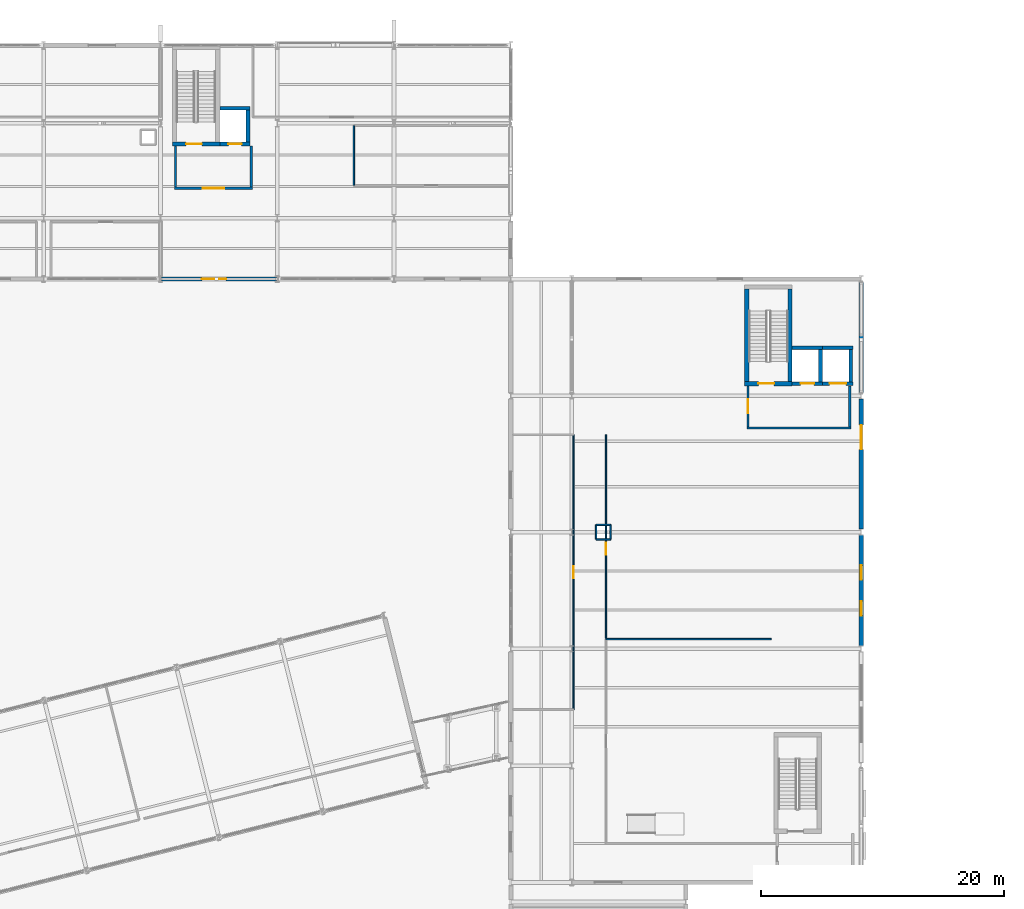
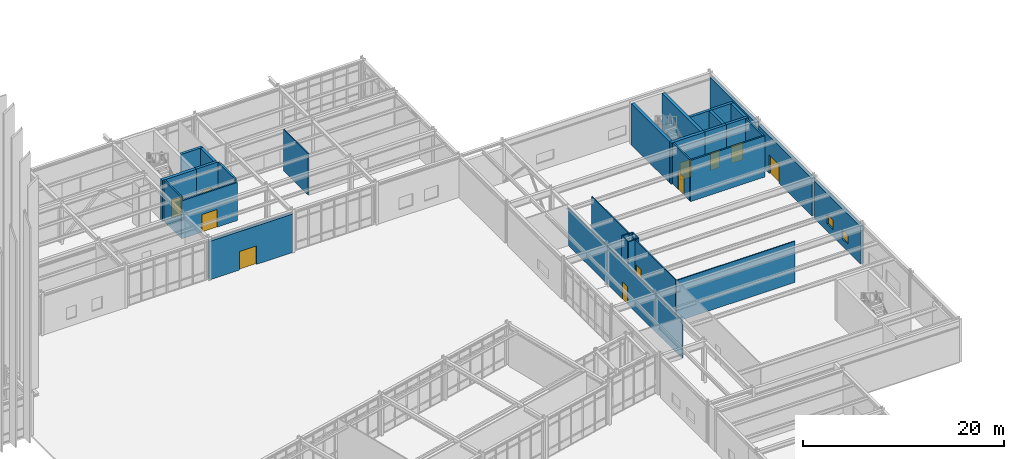
# One storey, part 93 of 109: 31 walls, 11 doors, 2 windows, 13 openings.
"""IFC4 building model written with IfcOpenShell, lengths in metres."""

from ifc_helpers import new_model, si_unit, direction, frame, frame_2d, origin, place, context, subcontext, project, spatial, rectangle, extrude, material, layer, layer_set, type_object, element, fill, save


model = new_model("IFC4")

# Units and contexts
model_context = context("Model", 3, precision=1e-05, world=origin(), true_north=direction((0.0, 1.0)))
body_context = subcontext(model_context, "Body", "Model", "MODEL_VIEW")
ifc_project = project(units=[si_unit("LENGTHUNIT", "METRE"), si_unit("AREAUNIT", "SQUARE_METRE"), si_unit("VOLUMEUNIT", "CUBIC_METRE"), si_unit("PLANEANGLEUNIT", "RADIAN"), si_unit("MASSUNIT", "GRAM", prefix="KILO")], contexts=[model_context])

# Site, building, storey
site_placement = place(None, origin())
site = spatial("IfcSite", under=ifc_project, at=site_placement, CompositionType="ELEMENT")
building_placement = place(site_placement, origin())
building = spatial("IfcBuilding", under=site, at=building_placement, Name="Nordkorset Police Headquarters", CompositionType="ELEMENT")
storey_placement = place(building_placement, origin())
storey = spatial("IfcBuildingStorey", under=building, at=storey_placement, Name="L00", CompositionType="ELEMENT", Elevation=0.0)

# Wall, opening, door
ifc_material_1 = material(Name="Gypsum board", Category="gypsum")
ifc_layer_1 = layer(ifc_material_1, 0.179931640625, Name="Gypsum board")
ifc_layer_set_1 = layer_set([ifc_layer_1], Name="Gypsum board")
wall_type_1 = type_object("IfcWallType", Name="Wall_Comp_180", PredefinedType="PARTITIONING", material=ifc_layer_set_1)
wall_1_placement = place(storey_placement, frame((58.75, 105.06005859375, 0.0), z_axis=(0.0, 0.0, 1.0), x_axis=(1.0, 0.0, 0.0)))
wall_1 = element("IfcWall", 1, at=wall_1_placement, inside=storey, type_object=wall_type_1, Name="Firefighting Lobby EI 60 Wall K2 L00 S", PredefinedType="PARTITIONING", context=body_context, shape_type="SweptSolid", body=[
    extrude(rectangle(XDim=6.39990234375, YDim=0.179931640625, at=frame_2d((3.199951171875, 0.0))), origin(), (0.0, 0.0, 1.0), 4.6201171875),
])
opening_1_placement = place(wall_1_placement, frame((2.324951171875, 0.0, 0.0)))
opening_1 = element("IfcOpeningElement", 2, at=opening_1_placement, cuts=wall_1, Name="Opening DR-17", PredefinedType="OPENING", context=body_context, shape_type="SweptSolid", body=[
    extrude(rectangle(XDim=1.75, YDim=2.14990234375, at=frame_2d((0.875, 1.074951171875))), frame((0.0, 0.10009765625, 0.0), z_axis=(0.0, -1.0, 0.0), x_axis=(1.0, 0.0, 0.0)), (0.0, 0.0, 1.0), 0.199951171875),
])
ifc_material_2 = material(Name="Steel S355J2", Category="steel")
door_type_1 = type_object("IfcDoorType", Name="Door_LobbyDouble_1750x2150", OperationType="DOUBLE_DOOR_SINGLE_SWING", PredefinedType="DOOR", material=ifc_material_2)
door_1_placement = place(opening_1_placement, frame((1.75, 0.0, 0.0), z_axis=(0.0, 0.0, 1.0), x_axis=(-1.0, 0.0, 0.0)))
door_1 = element("IfcDoor", 3, at=door_1_placement, inside=storey, type_object=door_type_1, Name="Firefighting Lobby Smoke Door K2 L00 S", OperationType="DOUBLE_DOOR_SINGLE_SWING", OverallHeight=2.14990234375, OverallWidth=1.75, PredefinedType="DOOR", context=body_context, shape_type="SweptSolid", body=[
    extrude(rectangle(XDim=1.75, YDim=2.14990234375, at=frame_2d((0.875, 1.074951171875))), frame((0.0, 0.02490234375, 0.0), z_axis=(0.0, -1.0, 0.0), x_axis=(1.0, 0.0, 0.0)), (0.0, 0.0, 1.0), 0.050048828125),
])
fill(opening_1, door_1)

# Walls
for number, where, z_axis, x_axis, name in (
    (4, (58.840087890625, 105.14990234375, 0.0), (0.0, 0.0, 1.0), (0.0, 1.0, 0.0), "Firefighting Lobby EI 60 Wall K2 L00 W"),
    (5, (65.06005859375, 105.14990234375, 0.0), (0.0, 0.0, 1.0), (0.0, 1.0, 0.0), "Firefighting Lobby EI 60 Wall K2 L00 E"),
):
    element("IfcWall", number, at=place(storey_placement, frame(where, z_axis=z_axis, x_axis=x_axis)), inside=storey, type_object=wall_type_1, Name=name, PredefinedType="PARTITIONING", context=body_context, shape_type="SweptSolid", body=[
        extrude(rectangle(XDim=3.375, YDim=0.179931640625, at=frame_2d((1.6875, 0.0))), origin(), (0.0, 0.0, 1.0), 5.0),
    ])
wall_2_placement = place(storey_placement, frame((105.800048828125, 85.360107421875, 0.0), z_axis=(0.0, 0.0, 1.0), x_axis=(1.0, 0.0, 0.0)))
element("IfcWall", 6, at=wall_2_placement, inside=storey, type_object=wall_type_1, Name="Firefighting Lobby EI 60 Wall K5 L00 S", PredefinedType="PARTITIONING", context=body_context, shape_type="SweptSolid", body=[
    extrude(rectangle(XDim=8.550048828125, YDim=0.179931640625, at=frame_2d((4.27490234375, 0.0))), origin(), (0.0, 0.0, 1.0), 5.0),
])

# Wall, opening, door
wall_3_placement = place(storey_placement, frame((105.889892578125, 85.449951171875, 0.0), z_axis=(0.0, 0.0, 1.0), x_axis=(0.0, 1.0, 0.0)))
wall_3 = element("IfcWall", 7, at=wall_3_placement, inside=storey, type_object=wall_type_1, Name="Firefighting Lobby EI 60 Wall K5 L00 W", PredefinedType="PARTITIONING", context=body_context, shape_type="SweptSolid", body=[
    extrude(rectangle(XDim=3.375, YDim=0.179931640625, at=frame_2d((1.6875, 0.0))), origin(), (0.0, 0.0, 1.0), 5.0),
])
opening_2_placement = place(wall_3_placement, frame((1.112548828125, 0.0, 0.0)))
opening_2 = element("IfcOpeningElement", 8, at=opening_2_placement, cuts=wall_3, Name="Opening DR-01", PredefinedType="OPENING", context=body_context, shape_type="SweptSolid", body=[
    extrude(rectangle(XDim=1.14990234375, YDim=2.14990234375, at=frame_2d((0.574951171875, 1.074951171875))), frame((0.0, 0.10009765625, 0.0), z_axis=(0.0, -1.0, 0.0), x_axis=(1.0, 0.0, 0.0)), (0.0, 0.0, 1.0), 0.199951171875),
])
ifc_material_3 = material(Name="Steel S355J2", Category="steel")
door_type_2 = type_object("IfcDoorType", Name="Door_LobbySingle_1150x2150", OperationType="NOTDEFINED", PredefinedType="DOOR", material=ifc_material_3)
door_2_placement = place(opening_2_placement, origin())
door_2 = element("IfcDoor", 9, at=door_2_placement, inside=storey, type_object=door_type_2, Name="Firefighting Lobby Smoke Door K5 L00 W", OperationType="SINGLE_SWING_LEFT", OverallHeight=2.14990234375, OverallWidth=1.14990234375, PredefinedType="DOOR", context=body_context, shape_type="SweptSolid", body=[
    extrude(rectangle(XDim=1.14990234375, YDim=2.14990234375, at=frame_2d((0.574951171875, 1.074951171875))), frame((0.0, 0.02490234375, 0.0), z_axis=(0.0, -1.0, 0.0), x_axis=(1.0, 0.0, 0.0)), (0.0, 0.0, 1.0), 0.050048828125),
])
fill(opening_2, door_2)

# Wall
wall_4_placement = place(storey_placement, frame((114.260009765625, 85.449951171875, 0.0), z_axis=(0.0, 0.0, 1.0), x_axis=(0.0, 1.0, 0.0)))
element("IfcWall", 10, at=wall_4_placement, inside=storey, type_object=wall_type_1, Name="Firefighting Lobby EI 60 Wall K5 L00 E", PredefinedType="PARTITIONING", context=body_context, shape_type="SweptSolid", body=[
    extrude(rectangle(XDim=3.375, YDim=0.179931640625, at=frame_2d((1.6875, 0.0))), origin(), (0.0, 0.0, 1.0), 5.0),
])

# Wall, opening, door
ifc_material_4 = material(Name="Concrete C35/45", Category="concrete")
ifc_layer_2 = layer(ifc_material_4, 0.35009765625, Name="Concrete C35/45")
ifc_layer_set_2 = layer_set([ifc_layer_2], Name="Concrete C35/45")
wall_type_2 = type_object("IfcWallType", Name="Wall_CoreShear_350", PredefinedType="SHEAR", material=ifc_layer_set_2)
wall_5_placement = place(storey_placement, frame((58.574951171875, 108.699951171875, 0.0), z_axis=(0.0, 0.0, 1.0), x_axis=(1.0, 0.0, 0.0)))
wall_5 = element("IfcWall", 11, at=wall_5_placement, inside=storey, type_object=wall_type_2, Name="Core K2 Stair Shaft South Shear Wall L00", PredefinedType="SHEAR", context=body_context, shape_type="SweptSolid", body=[
    extrude(rectangle(XDim=3.900146484375, YDim=0.35009765625, at=frame_2d((1.9501953125, 0.0))), origin(), (0.0, 0.0, 1.0), 5.0),
])
opening_3_placement = place(wall_5_placement, frame((1.125, 0.0, 0.0)))
opening_3 = element("IfcOpeningElement", 12, at=opening_3_placement, cuts=wall_5, Name="Opening DR-20", PredefinedType="OPENING", context=body_context, shape_type="SweptSolid", body=[
    extrude(rectangle(XDim=1.300048828125, YDim=2.14990234375, at=frame_2d((0.64990234375, 1.074951171875))), frame((0.0, 0.18505859375, 0.0), z_axis=(0.0, -1.0, 0.0), x_axis=(1.0, 0.0, 0.0)), (0.0, 0.0, 1.0), 0.3701171875),
])
ifc_material_5 = material(Name="Steel S355J2", Category="steel")
door_type_3 = type_object("IfcDoorType", Name="Door_Stair_1300x2150", OperationType="NOTDEFINED", PredefinedType="DOOR", material=ifc_material_5)
door_3_placement = place(opening_3_placement, origin())
door_3 = element("IfcDoor", 13, at=door_3_placement, inside=storey, type_object=door_type_3, Name="Protected Stair Fire Door ST-02 L00", OperationType="SINGLE_SWING_LEFT", OverallHeight=2.14990234375, OverallWidth=1.300048828125, PredefinedType="DOOR", context=body_context, shape_type="SweptSolid", body=[
    extrude(rectangle(XDim=1.300048828125, YDim=2.14990234375, at=frame_2d((0.64990234375, 1.074951171875))), frame((0.0, 0.02490234375, 0.0), z_axis=(0.0, -1.0, 0.0), x_axis=(1.0, 0.0, 0.0)), (0.0, 0.0, 1.0), 0.050048828125),
])
fill(opening_3, door_3)

wall_6_placement = place(storey_placement, frame((105.625, 89.0, 0.0), z_axis=(0.0, 0.0, 1.0), x_axis=(1.0, 0.0, 0.0)))
wall_6 = element("IfcWall", 14, at=wall_6_placement, inside=storey, type_object=wall_type_2, Name="Core K5 Stair Shaft South Shear Wall L00", PredefinedType="SHEAR", context=body_context, shape_type="SweptSolid", body=[
    extrude(rectangle(XDim=3.89990234375, YDim=0.35009765625, at=frame_2d((1.949951171875, 0.0))), origin(), (0.0, 0.0, 1.0), 5.0),
])
opening_4_placement = place(wall_6_placement, frame((1.125, 0.0, 0.0)))
opening_4 = element("IfcOpeningElement", 15, at=opening_4_placement, cuts=wall_6, Name="Opening DR-20", PredefinedType="OPENING", context=body_context, shape_type="SweptSolid", body=[
    extrude(rectangle(XDim=1.300048828125, YDim=2.14990234375, at=frame_2d((0.64990234375, 1.074951171875))), frame((0.0, 0.18505859375, 0.0), z_axis=(0.0, -1.0, 0.0), x_axis=(1.0, 0.0, 0.0)), (0.0, 0.0, 1.0), 0.3701171875),
])
door_4_placement = place(opening_4_placement, origin())
door_4 = element("IfcDoor", 16, at=door_4_placement, inside=storey, type_object=door_type_3, Name="Protected Stair Fire Door ST-05 L00", OperationType="SINGLE_SWING_RIGHT", OverallHeight=2.14990234375, OverallWidth=1.300048828125, PredefinedType="DOOR", context=body_context, shape_type="SweptSolid", body=[
    extrude(rectangle(XDim=1.300048828125, YDim=2.14990234375, at=frame_2d((0.64990234375, 1.074951171875))), frame((0.0, 0.02490234375, 0.0), z_axis=(0.0, -1.0, 0.0), x_axis=(1.0, 0.0, 0.0)), (0.0, 0.0, 1.0), 0.050048828125),
])
fill(opening_4, door_4)

# Walls
for number, where, z_axis, x_axis, name in (
    (17, (105.800048828125, 89.175048828125, 0.0), (0.0, 0.0, 1.0), (0.0, 1.0, 0.0), "Core K5 Stair Shaft West Shear Wall L00"),
    (18, (109.35009765625, 89.175048828125, 0.0), (0.0, 0.0, 1.0), (0.0, 1.0, 0.0), "Core K5 Stair Shaft East Shear Wall L00"),
):
    element("IfcWall", number, at=place(storey_placement, frame(where, z_axis=z_axis, x_axis=x_axis)), inside=storey, type_object=wall_type_2, Name=name, PredefinedType="SHEAR", context=body_context, shape_type="SweptSolid", body=[
        extrude(rectangle(XDim=7.599853515625, YDim=0.35009765625, at=frame_2d((3.7998046875, 0.0))), origin(), (0.0, 0.0, 1.0), 5.0),
    ])

# Wall, opening, door
ifc_material_6 = material(Name="Precast concrete C40/50", Category="concrete")
ifc_layer_3 = layer(ifc_material_6, 0.360107421875, Name="Precast concrete C40/50")
ifc_layer_set_3 = layer_set([ifc_layer_3], Name="Precast concrete C40/50")
wall_type_3 = type_object("IfcWallType", Name="Wall_ExtPrecast_360", PredefinedType="SOLIDWALL", material=ifc_layer_set_3)
wall_7_placement = place(storey_placement, frame((57.609130859375, 97.60009765625, 0.0), z_axis=(0.0, 0.0, 1.0), x_axis=(1.0, 0.0, 0.0)))
wall_7 = element("IfcWall", 19, at=wall_7_placement, inside=storey, type_object=wall_type_3, Name="Exterior Insulated Precast Wall L00 V2S-3", PredefinedType="SOLIDWALL", context=body_context, shape_type="SweptSolid", body=[
    extrude(rectangle(XDim=9.58154296875, YDim=0.360107421875, at=frame_2d((4.790771484375, 0.0))), origin(), (0.0, 0.0, 1.0), 4.669921875),
])
opening_5_placement = place(wall_7_placement, frame((3.390869140625, 0.0, 0.0)))
opening_5 = element("IfcOpeningElement", 20, at=opening_5_placement, cuts=wall_7, Name="Opening ED-13", PredefinedType="OPENING", context=body_context, shape_type="SweptSolid", body=[
    extrude(rectangle(XDim=2.0, YDim=2.25, at=frame_2d((1.0, 1.125))), frame((0.0, 0.18994140625, 0.0), z_axis=(0.0, -1.0, 0.0), x_axis=(1.0, 0.0, 0.0)), (0.0, 0.0, 1.0), 0.380126953125),
])
ifc_material_7 = material(Name="Steel S355J2", Category="steel")
door_type_4 = type_object("IfcDoorType", Name="ExtDoor_CoreExit_2000x2250", OperationType="DOUBLE_DOOR_SINGLE_SWING", PredefinedType="DOOR", material=ifc_material_7)
door_5_placement = place(opening_5_placement, frame((2.0, 0.0, 0.0), z_axis=(0.0, 0.0, 1.0), x_axis=(-1.0, 0.0, 0.0)))
door_5 = element("IfcDoor", 21, at=door_5_placement, inside=storey, type_object=door_type_4, Name="Core K2 Courtyard Final Exit Door ED-13", OperationType="SINGLE_SWING_LEFT", OverallHeight=2.25, OverallWidth=2.0, PredefinedType="DOOR", context=body_context, shape_type="SweptSolid", body=[
    extrude(rectangle(XDim=2.0, YDim=2.25, at=frame_2d((1.0, 1.125))), frame((0.0, 0.02490234375, 0.0), z_axis=(0.0, -1.0, 0.0), x_axis=(1.0, 0.0, 0.0)), (0.0, 0.0, 1.0), 0.050048828125),
])
fill(opening_5, door_5)

# Wall, openings, windows
wall_8_placement = place(storey_placement, frame((115.199951171875, 67.451904296875, 0.0), z_axis=(0.0, 0.0, 1.0), x_axis=(0.0, 1.0, 0.0)))
wall_8 = element("IfcWall", 22, at=wall_8_placement, inside=storey, type_object=wall_type_3, Name="Exterior Insulated Precast Wall L00 V5E-2", PredefinedType="SOLIDWALL", context=body_context, shape_type="SweptSolid", body=[
    extrude(rectangle(XDim=9.09619140625, YDim=0.360107421875, at=frame_2d((4.548095703125, 0.0))), origin(), (0.0, 0.0, 1.0), 4.5400390625),
])
opening_6_placement = place(wall_8_placement, frame((2.481201171875, 0.0, 0.89990234375)))
opening_6 = element("IfcOpeningElement", 23, at=opening_6_placement, cuts=wall_8, Name="Opening WN-19", PredefinedType="OPENING", context=body_context, shape_type="SweptSolid", body=[
    extrude(rectangle(XDim=1.199951171875, YDim=1.14990234375, at=frame_2d((0.60009765625, 0.574951171875))), frame((0.0, 0.18994140625, 0.0), z_axis=(0.0, -1.0, 0.0), x_axis=(1.0, 0.0, 0.0)), (0.0, 0.0, 1.0), 0.380126953125),
])
opening_7_placement = place(wall_8_placement, frame((5.414794921875, 0.0, 0.89990234375)))
opening_7 = element("IfcOpeningElement", 24, at=opening_7_placement, cuts=wall_8, Name="Opening WN-19", PredefinedType="OPENING", context=body_context, shape_type="SweptSolid", body=[
    extrude(rectangle(XDim=1.199951171875, YDim=1.14990234375, at=frame_2d((0.60009765625, 0.574951171875))), frame((0.0, 0.18994140625, 0.0), z_axis=(0.0, -1.0, 0.0), x_axis=(1.0, 0.0, 0.0)), (0.0, 0.0, 1.0), 0.380126953125),
])
ifc_material_8 = material(Name="Low-iron triple glazing", Category="glass")
window_type = type_object("IfcWindowType", Name="Win_1200x1150", PartitioningType="SINGLE_PANEL", PredefinedType="WINDOW", material=ifc_material_8)
window_1_placement = place(opening_6_placement, origin())
window_1 = element("IfcWindow", 25, at=window_1_placement, inside=storey, type_object=window_type, Name="Triple-Glazed Exterior Window L00 V5E-2-1", OverallHeight=1.14990234375, OverallWidth=1.199951171875, PartitioningType="SINGLE_PANEL", PredefinedType="WINDOW", context=body_context, shape_type="SweptSolid", body=[
    extrude(rectangle(XDim=1.199951171875, YDim=1.14990234375, at=frame_2d((0.60009765625, 0.574951171875))), frame((0.0, 0.030029296875, 0.0), z_axis=(0.0, -1.0, 0.0), x_axis=(1.0, 0.0, 0.0)), (0.0, 0.0, 1.0), 0.06005859375),
])
fill(opening_6, window_1)
window_2_placement = place(opening_7_placement, origin())
window_2 = element("IfcWindow", 26, at=window_2_placement, inside=storey, type_object=window_type, Name="Triple-Glazed Exterior Window L00 V5E-2-2", OverallHeight=1.14990234375, OverallWidth=1.199951171875, PartitioningType="SINGLE_PANEL", PredefinedType="WINDOW", context=body_context, shape_type="SweptSolid", body=[
    extrude(rectangle(XDim=1.199951171875, YDim=1.14990234375, at=frame_2d((0.60009765625, 0.574951171875))), frame((0.0, 0.030029296875, 0.0), z_axis=(0.0, -1.0, 0.0), x_axis=(1.0, 0.0, 0.0)), (0.0, 0.0, 1.0), 0.06005859375),
])
fill(opening_7, window_2)

# Wall, opening, door
wall_9_placement = place(storey_placement, frame((115.199951171875, 77.052001953125, 0.0), z_axis=(0.0, 0.0, 1.0), x_axis=(0.0, 1.0, 0.0)))
wall_9 = element("IfcWall", 27, at=wall_9_placement, inside=storey, type_object=wall_type_3, Name="Exterior Insulated Precast Wall L00 V5E-3", PredefinedType="SOLIDWALL", context=body_context, shape_type="SweptSolid", body=[
    extrude(rectangle(XDim=10.696044921875, YDim=0.360107421875, at=frame_2d((5.34814453125, 0.0))), origin(), (0.0, 0.0, 1.0), 4.5400390625),
])
opening_8_placement = place(wall_9_placement, frame((6.548095703125, 0.0, 0.0)))
opening_8 = element("IfcOpeningElement", 28, at=opening_8_placement, cuts=wall_9, Name="Opening ED-08", PredefinedType="OPENING", context=body_context, shape_type="SweptSolid", body=[
    extrude(rectangle(XDim=2.0, YDim=2.25, at=frame_2d((1.0, 1.125))), frame((0.0, 0.18994140625, 0.0), z_axis=(0.0, -1.0, 0.0), x_axis=(1.0, 0.0, 0.0)), (0.0, 0.0, 1.0), 0.380126953125),
])
door_6_placement = place(opening_8_placement, frame((2.0, 0.0, 0.0), z_axis=(0.0, 0.0, 1.0), x_axis=(-1.0, 0.0, 0.0)))
door_6 = element("IfcDoor", 29, at=door_6_placement, inside=storey, type_object=door_type_4, Name="Training Pavilion East Final Exit Door ED-08", OperationType="SINGLE_SWING_LEFT", OverallHeight=2.25, OverallWidth=2.0, PredefinedType="DOOR", context=body_context, shape_type="SweptSolid", body=[
    extrude(rectangle(XDim=2.0, YDim=2.25, at=frame_2d((1.0, 1.125))), frame((0.0, 0.02490234375, 0.0), z_axis=(0.0, -1.0, 0.0), x_axis=(1.0, 0.0, 0.0)), (0.0, 0.0, 1.0), 0.050048828125),
])
fill(opening_8, door_6)

# Walls
wall_10_placement = place(storey_placement, frame((115.199951171875, 88.251953125, 0.0), z_axis=(0.0, 0.0, 1.0), x_axis=(0.0, 1.0, 0.0)))
element("IfcWall", 30, at=wall_10_placement, inside=storey, type_object=wall_type_3, Name="Exterior Insulated Precast Wall L00 V5E-4", PredefinedType="SOLIDWALL", context=body_context, shape_type="SweptSolid", body=[
    extrude(rectangle(XDim=9.095947265625, YDim=0.360107421875, at=frame_2d((4.5478515625, 0.0))), origin(), (0.0, 0.0, 1.0), 4.5400390625),
])
ifc_material_9 = material(Name="Gypsum board", Category="gypsum")
ifc_layer_4 = layer(ifc_material_9, 0.1201171875, Name="Gypsum board")
ifc_layer_set_4 = layer_set([ifc_layer_4], Name="Gypsum board")
wall_type_4 = type_object("IfcWallType", Name="Wall_Part_120", PredefinedType="PARTITIONING", material=ifc_layer_set_4)
wall_11_placement = place(storey_placement, frame((73.5, 110.199951171875, 0.0), z_axis=(0.0, 0.0, 1.0), x_axis=(0.0, -1.0, 0.0)))
element("IfcWall", 31, at=wall_11_placement, inside=storey, type_object=wall_type_4, Name="Interior Partition Wall Visitor Cycle Store and Locker Room", PredefinedType="PARTITIONING", context=body_context, shape_type="SweptSolid", body=[
    extrude(rectangle(XDim=4.89990234375, YDim=0.1201171875, at=frame_2d((2.449951171875, 0.0))), origin(), (0.0, 0.0, 1.0), 5.0),
])

# Wall, opening, door
wall_12_placement = place(storey_placement, frame((91.550048828125, 62.199951171875, 0.0), z_axis=(0.0, 0.0, 1.0), x_axis=(0.0, 1.0, 0.0)))
wall_12 = element("IfcWall", 32, at=wall_12_placement, inside=storey, type_object=wall_type_4, Name="Interior Partition Wall Patrol Kit Issue Office", PredefinedType="PARTITIONING", context=body_context, shape_type="SweptSolid", body=[
    extrude(rectangle(XDim=22.60009765625, YDim=0.1201171875, at=frame_2d((11.300048828125, 0.0))), origin(), (0.0, 0.0, 1.0), 4.5400390625),
])
opening_9_placement = place(wall_12_placement, frame((10.7900390625, 0.0, 0.0)))
opening_9 = element("IfcOpeningElement", 33, at=opening_9_placement, cuts=wall_12, Name="Opening DR-19", PredefinedType="OPENING", context=body_context, shape_type="SweptSolid", body=[
    extrude(rectangle(XDim=1.02001953125, YDim=2.10009765625, at=frame_2d((0.510009765625, 1.050048828125))), frame((0.0, 0.070068359375, 0.0), z_axis=(0.0, -1.0, 0.0), x_axis=(1.0, 0.0, 0.0)), (0.0, 0.0, 1.0), 0.14013671875),
])
ifc_material_10 = material(Name="Glulam GL30c", Category="wood")
door_type_5 = type_object("IfcDoorType", Name="Door_Office_1020x2100", OperationType="NOTDEFINED", PredefinedType="DOOR", material=ifc_material_10)
door_7_placement = place(opening_9_placement, origin())
door_7 = element("IfcDoor", 34, at=door_7_placement, inside=storey, type_object=door_type_5, Name="Interior Door Patrol Kit Issue Office", OperationType="SINGLE_SWING_LEFT", OverallHeight=2.10009765625, OverallWidth=1.02001953125, PredefinedType="DOOR", context=body_context, shape_type="SweptSolid", body=[
    extrude(rectangle(XDim=1.02001953125, YDim=2.10009765625, at=frame_2d((0.510009765625, 1.050048828125))), frame((0.0, 0.02490234375, 0.0), z_axis=(0.0, -1.0, 0.0), x_axis=(1.0, 0.0, 0.0)), (0.0, 0.0, 1.0), 0.050048828125),
])
fill(opening_9, door_7)

# Wall
wall_13_placement = place(storey_placement, frame((107.800048828125, 68.0, 0.0), z_axis=(0.0, 0.0, 1.0), x_axis=(-1.0, 0.0, 0.0)))
element("IfcWall", 35, at=wall_13_placement, inside=storey, type_object=wall_type_4, Name="Interior Partition Wall District Patrol Briefing Hall", PredefinedType="PARTITIONING", context=body_context, shape_type="SweptSolid", body=[
    extrude(rectangle(XDim=13.580078125, YDim=0.1201171875, at=frame_2d((6.7900390625, 0.0))), origin(), (0.0, 0.0, 1.0), 5.0),
])

# Wall, opening, door
wall_14_placement = place(storey_placement, frame((94.219970703125, 84.800048828125, 0.0), z_axis=(0.0, 0.0, 1.0), x_axis=(0.0, -1.0, 0.0)))
wall_14 = element("IfcWall", 36, at=wall_14_placement, inside=storey, type_object=wall_type_4, Name="Interior Partition Wall Response Team Equipment Hall", PredefinedType="PARTITIONING", context=body_context, shape_type="SweptSolid", body=[
    extrude(rectangle(XDim=16.7451171875, YDim=0.1201171875, at=frame_2d((8.37255859375, 0.0))), origin(), (0.0, 0.0, 1.0), 5.0),
])
opening_10_placement = place(wall_14_placement, frame((8.862548828125, 0.0, 0.0)))
opening_10 = element("IfcOpeningElement", 37, at=opening_10_placement, cuts=wall_14, Name="Opening DR-19", PredefinedType="OPENING", context=body_context, shape_type="SweptSolid", body=[
    extrude(rectangle(XDim=1.02001953125, YDim=2.10009765625, at=frame_2d((0.510009765625, 1.050048828125))), frame((0.0, 0.070068359375, 0.0), z_axis=(0.0, -1.0, 0.0), x_axis=(1.0, 0.0, 0.0)), (0.0, 0.0, 1.0), 0.14013671875),
])
door_8_placement = place(opening_10_placement, origin())
door_8 = element("IfcDoor", 38, at=door_8_placement, inside=storey, type_object=door_type_5, Name="Interior Door Response Team Equipment Hall", OperationType="SINGLE_SWING_LEFT", OverallHeight=2.10009765625, OverallWidth=1.02001953125, PredefinedType="DOOR", context=body_context, shape_type="SweptSolid", body=[
    extrude(rectangle(XDim=1.02001953125, YDim=2.10009765625, at=frame_2d((0.510009765625, 1.050048828125))), frame((0.0, 0.02490234375, 0.0), z_axis=(0.0, -1.0, 0.0), x_axis=(1.0, 0.0, 0.0)), (0.0, 0.0, 1.0), 0.050048828125),
])
fill(opening_10, door_8)

# Walls
ifc_material_11 = material(Name="Gypsum board", Category="gypsum")
ifc_layer_5 = layer(ifc_material_11, 0.125, Name="Gypsum board")
ifc_layer_set_5 = layer_set([ifc_layer_5], Name="Gypsum board")
wall_type_5 = type_object("IfcWallType", Name="Wall_Riser_125", PredefinedType="PARTITIONING", material=ifc_layer_set_5)
wall_15_placement = place(storey_placement, frame((93.39990234375, 76.199951171875, 0.0), z_axis=(0.0, 0.0, 1.0), x_axis=(1.0, 0.0, 0.0)))
element("IfcWall", 39, at=wall_15_placement, inside=storey, type_object=wall_type_5, Name="Service Riser Enclosure RSR-V5 L00", PredefinedType="PARTITIONING", context=body_context, shape_type="SweptSolid", body=[
    extrude(rectangle(XDim=1.2001953125, YDim=0.125, at=frame_2d((0.60009765625, 0.0))), origin(), (0.0, 0.0, 1.0), 5.0),
])
wall_16_placement = place(storey_placement, frame((94.60009765625, 76.199951171875, 0.0), z_axis=(0.0, 0.0, 1.0), x_axis=(0.0, 1.0, 0.0)))
element("IfcWall", 40, at=wall_16_placement, inside=storey, type_object=wall_type_5, Name="Service Riser Enclosure RSR-V5 L00", PredefinedType="PARTITIONING", context=body_context, shape_type="SweptSolid", body=[
    extrude(rectangle(XDim=1.199951171875, YDim=0.125, at=frame_2d((0.60009765625, 0.0))), origin(), (0.0, 0.0, 1.0), 5.0),
])
wall_17_placement = place(storey_placement, frame((94.60009765625, 77.39990234375, 0.0), z_axis=(0.0, 0.0, 1.0), x_axis=(-1.0, 0.0, 0.0)))
element("IfcWall", 41, at=wall_17_placement, inside=storey, type_object=wall_type_5, Name="Service Riser Enclosure RSR-V5 L00", PredefinedType="PARTITIONING", context=body_context, shape_type="SweptSolid", body=[
    extrude(rectangle(XDim=1.2001953125, YDim=0.125, at=frame_2d((0.60009765625, 0.0))), origin(), (0.0, 0.0, 1.0), 5.0),
])
wall_18_placement = place(storey_placement, frame((93.39990234375, 77.39990234375, 0.0), z_axis=(0.0, 0.0, 1.0), x_axis=(0.0, -1.0, 0.0)))
element("IfcWall", 42, at=wall_18_placement, inside=storey, type_object=wall_type_5, Name="Service Riser Enclosure RSR-V5 L00", PredefinedType="PARTITIONING", context=body_context, shape_type="SweptSolid", body=[
    extrude(rectangle(XDim=1.199951171875, YDim=0.125, at=frame_2d((0.60009765625, 0.0))), origin(), (0.0, 0.0, 1.0), 5.0),
])

# Wall, opening, door
ifc_material_12 = material(Name="Concrete C35/45", Category="concrete")
ifc_layer_6 = layer(ifc_material_12, 0.300048828125, Name="Concrete C35/45")
ifc_layer_set_6 = layer_set([ifc_layer_6], Name="Concrete C35/45")
wall_type_6 = type_object("IfcWallType", Name="Wall_ShaftShear_300", PredefinedType="SHEAR", material=ifc_layer_set_6)
wall_19_placement = place(storey_placement, frame((62.47509765625, 108.699951171875, 0.0), z_axis=(0.0, 0.0, 1.0), x_axis=(1.0, 0.0, 0.0)))
wall_19 = element("IfcWall", 43, at=wall_19_placement, inside=storey, type_object=wall_type_6, Name="Lift Shaft LF-04 Front Shear Wall L00", PredefinedType="SHEAR", context=body_context, shape_type="SweptSolid", body=[
    extrude(rectangle(XDim=2.5, YDim=0.300048828125, at=frame_2d((1.25, 0.0))), origin(), (0.0, 0.0, 1.0), 5.0),
])
opening_11_placement = place(wall_19_placement, frame((0.699951171875, 0.0, 0.0)))
opening_11 = element("IfcOpeningElement", 44, at=opening_11_placement, cuts=wall_19, Name="Opening LD-04", PredefinedType="OPENING", context=body_context, shape_type="SweptSolid", body=[
    extrude(rectangle(XDim=1.10009765625, YDim=2.10009765625, at=frame_2d((0.550048828125, 1.050048828125))), frame((0.0, 0.16015625, 0.0), z_axis=(0.0, -1.0, 0.0), x_axis=(1.0, 0.0, 0.0)), (0.0, 0.0, 1.0), 0.320068359375),
])
ifc_material_13 = material(Name="Steel S355J2", Category="steel")
door_type_6 = type_object("IfcDoorType", Name="Door_LiftLanding_1100x2100", OperationType="SLIDING_TO_LEFT", PredefinedType="DOOR", material=ifc_material_13)
door_9_placement = place(opening_11_placement, frame((1.10009765625, 0.0, 0.0), z_axis=(0.0, 0.0, 1.0), x_axis=(-1.0, 0.0, 0.0)))
door_9 = element("IfcDoor", 45, at=door_9_placement, inside=storey, type_object=door_type_6, Name="Lift Landing Sliding Door LF-04 L00", OperationType="SLIDING_TO_LEFT", OverallHeight=2.10009765625, OverallWidth=1.10009765625, PredefinedType="DOOR", context=body_context, shape_type="SweptSolid", body=[
    extrude(rectangle(XDim=1.10009765625, YDim=2.10009765625, at=frame_2d((0.550048828125, 1.050048828125))), frame((0.0, 0.02490234375, 0.0), z_axis=(0.0, -1.0, 0.0), x_axis=(1.0, 0.0, 0.0)), (0.0, 0.0, 1.0), 0.050048828125),
])
fill(opening_11, door_9)

# Walls
wall_20_placement = place(storey_placement, frame((62.47509765625, 111.64990234375, 0.0), z_axis=(0.0, 0.0, 1.0), x_axis=(1.0, 0.0, 0.0)))
element("IfcWall", 46, at=wall_20_placement, inside=storey, type_object=wall_type_6, Name="Lift Shaft LF-04 Rear Shear Wall L00", PredefinedType="SHEAR", context=body_context, shape_type="SweptSolid", body=[
    extrude(rectangle(XDim=2.5, YDim=0.300048828125, at=frame_2d((1.25, 0.0))), origin(), (0.0, 0.0, 1.0), 5.0),
])
wall_21_placement = place(storey_placement, frame((64.800048828125, 108.85009765625, 0.0), z_axis=(0.0, 0.0, 1.0), x_axis=(0.0, 1.0, 0.0)))
element("IfcWall", 47, at=wall_21_placement, inside=storey, type_object=wall_type_6, Name="Lift Shaft LF-04 East Shear Wall L00", PredefinedType="SHEAR", context=body_context, shape_type="SweptSolid", body=[
    extrude(rectangle(XDim=2.64990234375, YDim=0.300048828125, at=frame_2d((1.324951171875, 0.0))), origin(), (0.0, 0.0, 1.0), 5.0),
])

# Wall, opening, door
wall_22_placement = place(storey_placement, frame((109.52490234375, 89.0, 0.0), z_axis=(0.0, 0.0, 1.0), x_axis=(1.0, 0.0, 0.0)))
wall_22 = element("IfcWall", 48, at=wall_22_placement, inside=storey, type_object=wall_type_6, Name="Lift Shaft LF-05 Front Shear Wall L00", PredefinedType="SHEAR", context=body_context, shape_type="SweptSolid", body=[
    extrude(rectangle(XDim=2.5, YDim=0.300048828125, at=frame_2d((1.25, 0.0))), origin(), (0.0, 0.0, 1.0), 5.0),
])
opening_12_placement = place(wall_22_placement, frame((0.699951171875, 0.0, 0.0)))
opening_12 = element("IfcOpeningElement", 49, at=opening_12_placement, cuts=wall_22, Name="Opening LD-05", PredefinedType="OPENING", context=body_context, shape_type="SweptSolid", body=[
    extrude(rectangle(XDim=1.10009765625, YDim=2.10009765625, at=frame_2d((0.550048828125, 1.050048828125))), frame((0.0, 0.16015625, 0.0), z_axis=(0.0, -1.0, 0.0), x_axis=(1.0, 0.0, 0.0)), (0.0, 0.0, 1.0), 0.320068359375),
])
door_10_placement = place(opening_12_placement, frame((1.10009765625, 0.0, 0.0), z_axis=(0.0, 0.0, 1.0), x_axis=(-1.0, 0.0, 0.0)))
door_10 = element("IfcDoor", 50, at=door_10_placement, inside=storey, type_object=door_type_6, Name="Lift Landing Sliding Door LF-05 L00", OperationType="SLIDING_TO_LEFT", OverallHeight=2.10009765625, OverallWidth=1.10009765625, PredefinedType="DOOR", context=body_context, shape_type="SweptSolid", body=[
    extrude(rectangle(XDim=1.10009765625, YDim=2.10009765625, at=frame_2d((0.550048828125, 1.050048828125))), frame((0.0, 0.02490234375, 0.0), z_axis=(0.0, -1.0, 0.0), x_axis=(1.0, 0.0, 0.0)), (0.0, 0.0, 1.0), 0.050048828125),
])
fill(opening_12, door_10)

# Walls
wall_23_placement = place(storey_placement, frame((109.52490234375, 91.949951171875, 0.0), z_axis=(0.0, 0.0, 1.0), x_axis=(1.0, 0.0, 0.0)))
element("IfcWall", 51, at=wall_23_placement, inside=storey, type_object=wall_type_6, Name="Lift Shaft LF-05 Rear Shear Wall L00", PredefinedType="SHEAR", context=body_context, shape_type="SweptSolid", body=[
    extrude(rectangle(XDim=2.5, YDim=0.300048828125, at=frame_2d((1.25, 0.0))), origin(), (0.0, 0.0, 1.0), 5.0),
])
wall_24_placement = place(storey_placement, frame((111.85009765625, 89.14990234375, 0.0), z_axis=(0.0, 0.0, 1.0), x_axis=(0.0, 1.0, 0.0)))
element("IfcWall", 52, at=wall_24_placement, inside=storey, type_object=wall_type_6, Name="Lift Shaft LF-05 East Shear Wall L00", PredefinedType="SHEAR", context=body_context, shape_type="SweptSolid", body=[
    extrude(rectangle(XDim=2.650146484375, YDim=0.300048828125, at=frame_2d((1.3251953125, 0.0))), origin(), (0.0, 0.0, 1.0), 5.0),
])

# Wall, opening, door
wall_25_placement = place(storey_placement, frame((112.02490234375, 89.0, 0.0), z_axis=(0.0, 0.0, 1.0), x_axis=(1.0, 0.0, 0.0)))
wall_25 = element("IfcWall", 53, at=wall_25_placement, inside=storey, type_object=wall_type_6, Name="Lift Shaft LF-07 Front Shear Wall L00", PredefinedType="SHEAR", context=body_context, shape_type="SweptSolid", body=[
    extrude(rectangle(XDim=2.5, YDim=0.300048828125, at=frame_2d((1.25, 0.0))), origin(), (0.0, 0.0, 1.0), 5.0),
])
opening_13_placement = place(wall_25_placement, frame((0.574951171875, 0.0, 0.0)))
opening_13 = element("IfcOpeningElement", 54, at=opening_13_placement, cuts=wall_25, Name="Opening LD-07", PredefinedType="OPENING", context=body_context, shape_type="SweptSolid", body=[
    extrude(rectangle(XDim=1.35009765625, YDim=2.14990234375, at=frame_2d((0.675048828125, 1.074951171875))), frame((0.0, 0.16015625, 0.0), z_axis=(0.0, -1.0, 0.0), x_axis=(1.0, 0.0, 0.0)), (0.0, 0.0, 1.0), 0.320068359375),
])
ifc_material_14 = material(Name="Steel S355J2", Category="steel")
door_type_7 = type_object("IfcDoorType", Name="Door_LiftGoods_1350x2150", OperationType="SLIDING_TO_RIGHT", PredefinedType="DOOR", material=ifc_material_14)
door_11_placement = place(opening_13_placement, frame((1.35009765625, 0.0, 0.0), z_axis=(0.0, 0.0, 1.0), x_axis=(-1.0, 0.0, 0.0)))
door_11 = element("IfcDoor", 55, at=door_11_placement, inside=storey, type_object=door_type_7, Name="Lift Landing Sliding Door LF-07 L00", OperationType="SLIDING_TO_RIGHT", OverallHeight=2.14990234375, OverallWidth=1.35009765625, PredefinedType="DOOR", context=body_context, shape_type="SweptSolid", body=[
    extrude(rectangle(XDim=1.35009765625, YDim=2.14990234375, at=frame_2d((0.675048828125, 1.074951171875))), frame((0.0, 0.02490234375, 0.0), z_axis=(0.0, -1.0, 0.0), x_axis=(1.0, 0.0, 0.0)), (0.0, 0.0, 1.0), 0.050048828125),
])
fill(opening_13, door_11)

# Walls
wall_26_placement = place(storey_placement, frame((112.02490234375, 91.949951171875, 0.0), z_axis=(0.0, 0.0, 1.0), x_axis=(1.0, 0.0, 0.0)))
element("IfcWall", 56, at=wall_26_placement, inside=storey, type_object=wall_type_6, Name="Lift Shaft LF-07 Rear Shear Wall L00", PredefinedType="SHEAR", context=body_context, shape_type="SweptSolid", body=[
    extrude(rectangle(XDim=2.5, YDim=0.300048828125, at=frame_2d((1.25, 0.0))), origin(), (0.0, 0.0, 1.0), 5.0),
])
wall_27_placement = place(storey_placement, frame((114.35009765625, 89.14990234375, 0.0), z_axis=(0.0, 0.0, 1.0), x_axis=(0.0, 1.0, 0.0)))
element("IfcWall", 57, at=wall_27_placement, inside=storey, type_object=wall_type_6, Name="Lift Shaft LF-07 East Shear Wall L00", PredefinedType="SHEAR", context=body_context, shape_type="SweptSolid", body=[
    extrude(rectangle(XDim=2.650146484375, YDim=0.300048828125, at=frame_2d((1.3251953125, 0.0))), origin(), (0.0, 0.0, 1.0), 5.0),
])

save(model, "model.ifc")
